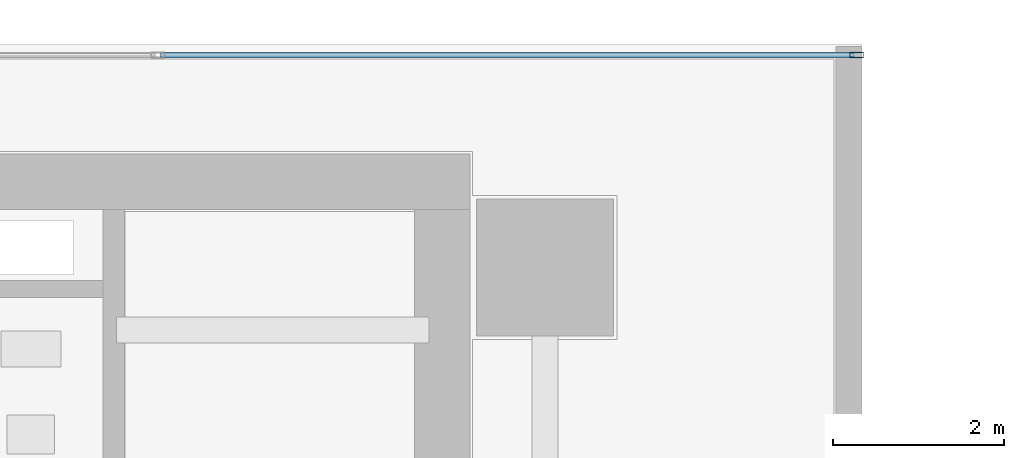
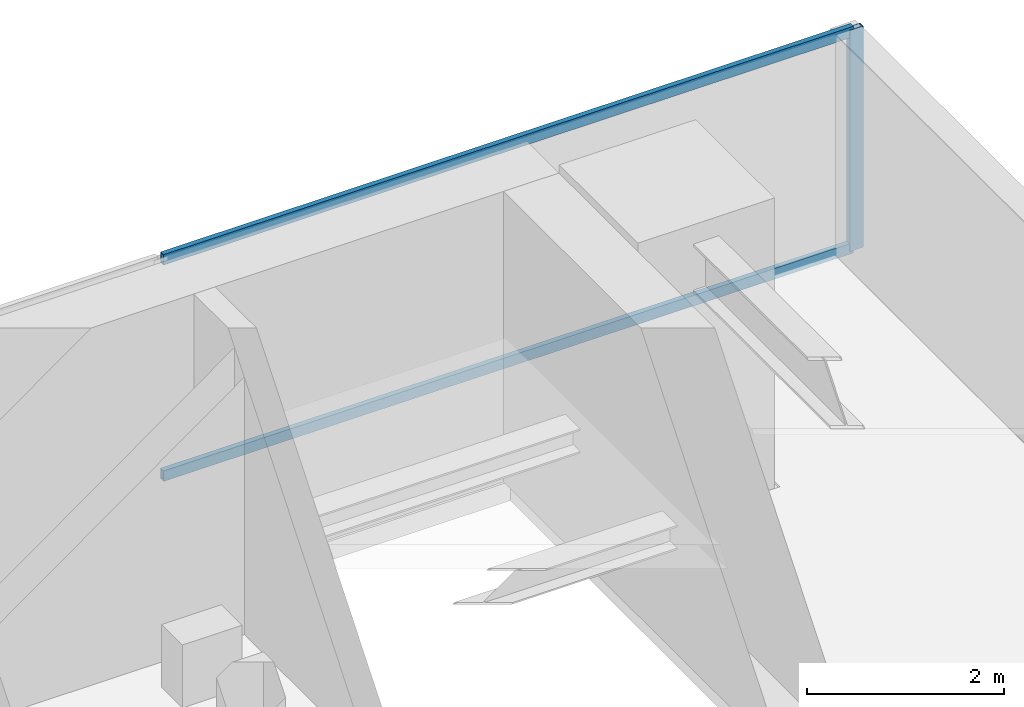
# One storey, part 26 of 37: 3 members, 1 element without a shape of its own.
"""IFC4 building model written with IfcOpenShell, lengths in metres."""

from ifc_helpers import new_model, si_unit, direction, frame, origin, origin_2d, place, context, subcontext, project, spatial, hollow_rectangle, extrude, source, transform, mapped, material, layer, layer_set, material_profile, profile_set, type_object, element, aggregate, save


model = new_model("IFC4")

# Units and contexts
model_context = context("Model", 3, precision=1e-05, world=origin(), true_north=direction((0.0, 1.0)))
body_context = subcontext(model_context, "Body", "Model", "MODEL_VIEW")
ifc_project = project(units=[si_unit("LENGTHUNIT", "METRE"), si_unit("AREAUNIT", "SQUARE_METRE"), si_unit("VOLUMEUNIT", "CUBIC_METRE"), si_unit("PLANEANGLEUNIT", "RADIAN"), si_unit("MASSUNIT", "GRAM", prefix="KILO")], contexts=[model_context])

# Site, building, storey
site_placement = place(None, origin())
site = spatial("IfcSite", under=ifc_project, at=site_placement, CompositionType="ELEMENT")
building_placement = place(site_placement, origin())
building = spatial("IfcBuilding", under=site, at=building_placement, Name="Sumidabori Civic Tower", CompositionType="ELEMENT")
storey_placement = place(building_placement, frame((0.0, 0.0, 81.199951171875)))
storey = spatial("IfcBuildingStorey", under=building, at=storey_placement, Name="L20", CompositionType="ELEMENT", Elevation=81.199951171875)

# Curtain wall, members
ifc_material = material(Name="Anodised Bronze Aluminium AW-6063-T6", Category="aluminium")
ifc_layer = layer(ifc_material, 0.179931640625, Name="Anodised Bronze Aluminium AW-6063-T6")
ifc_layer_set = layer_set([ifc_layer], Name="Anodised Bronze Aluminium AW-6063-T6")
curtain_wall_type = type_object("IfcCurtainWallType", Name="CW-SYS-3", PredefinedType="NOTDEFINED", material=ifc_layer_set)
curtain_wall_placement = place(storey_placement, origin())
curtain_wall = element("IfcCurtainWall", 1, at=curtain_wall_placement, inside=storey, type_object=curtain_wall_type, Name="Curtain Wall CW:L20:R07", PredefinedType="NOTDEFINED")
ifc_material_profile_1 = material_profile(ifc_material, hollow_rectangle(XDim=0.06494140625, YDim=0.159912109375, WallThickness=0.0048828125, at=origin_2d()), Name="ALU MULLION 160x65")
ifc_profile_set_1 = profile_set([ifc_material_profile_1], Name="Anodised Bronze Aluminium AW-6063-T6")
member_type_1 = type_object("IfcMemberType", Name="CW-MUL-160", PredefinedType="MULLION", material=ifc_profile_set_1)
shared_shape_1 = source(origin(), body_context, "Body", "SweptSolid", [
    extrude(hollow_rectangle(XDim=0.06494140625, YDim=0.159912109375, WallThickness=0.0048828125, at=origin_2d()), origin(), (0.0, 0.0, 1.0), 2.739990234375),
])
member_1_placement = place(storey_placement, frame((20.4375, 25.280029296875, 0.0), z_axis=(0.0, 0.0, 1.0), x_axis=(0.0, -1.0, 0.0)))
member_1 = element("IfcMember", 2, at=member_1_placement, type_object=member_type_1, Name="CW-3 mullion 1", PredefinedType="MULLION", context=body_context, shape_type="MappedRepresentation", body=[
    mapped(shared_shape_1, transform((0.0, 0.0, 0.0), x_axis=(1.0, 0.0, 0.0), y_axis=(0.0, 1.0, 0.0), z_axis=(0.0, 0.0, 1.0), scale=1.0)),
])
ifc_material_profile_2 = material_profile(ifc_material, hollow_rectangle(XDim=0.06005859375, YDim=0.1298828125, WallThickness=0.0048828125, at=origin_2d()), Name="ALU TRANSOM 130x60")
ifc_profile_set_2 = profile_set([ifc_material_profile_2], Name="Anodised Bronze Aluminium AW-6063-T6")
member_type_2 = type_object("IfcMemberType", Name="CW-TRN-130", PredefinedType="USERDEFINED", material=ifc_profile_set_2)
shared_shape_2 = source(origin(), body_context, "Body", "SweptSolid", [
    extrude(hollow_rectangle(XDim=0.06005859375, YDim=0.1298828125, WallThickness=0.0048828125, at=origin_2d()), origin(), (0.0, 0.0, 1.0), 8.090576171875),
])
member_2_placement = place(storey_placement, frame((20.405029296875, 25.280029296875, 0.030029296875), z_axis=(-1.0, 0.0, 0.0), x_axis=(0.0, -1.0, 0.0)))
member_2 = element("IfcMember", 3, at=member_2_placement, type_object=member_type_2, Name="CW-3 transom 1.1", ObjectType="TRANSOM", PredefinedType="USERDEFINED", context=body_context, shape_type="MappedRepresentation", body=[
    mapped(shared_shape_2, transform((0.0, 0.0, 0.0), x_axis=(1.0, 0.0, 0.0), y_axis=(0.0, 1.0, 0.0), z_axis=(0.0, 0.0, 1.0), scale=1.0)),
])
member_3_placement = place(storey_placement, frame((20.405029296875, 25.280029296875, 2.7099609375), z_axis=(-1.0, 0.0, 0.0), x_axis=(0.0, -1.0, 0.0)))
member_3 = element("IfcMember", 4, at=member_3_placement, type_object=member_type_2, Name="CW-3 transom 1.2", ObjectType="TRANSOM", PredefinedType="USERDEFINED", context=body_context, shape_type="MappedRepresentation", body=[
    mapped(shared_shape_2, transform((0.0, 0.0, 0.0), x_axis=(1.0, 0.0, 0.0), y_axis=(0.0, 1.0, 0.0), z_axis=(0.0, 0.0, 1.0), scale=1.0)),
])
aggregate(curtain_wall, [member_1, member_2, member_3])

save(model, "model.ifc")
